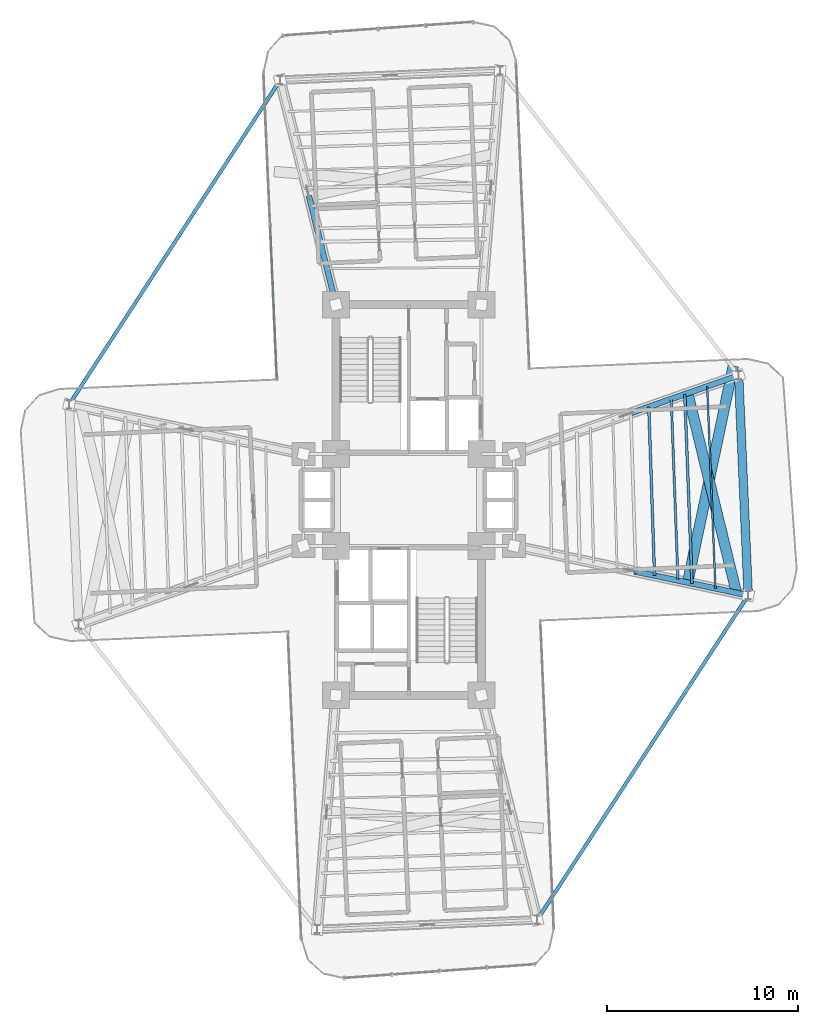
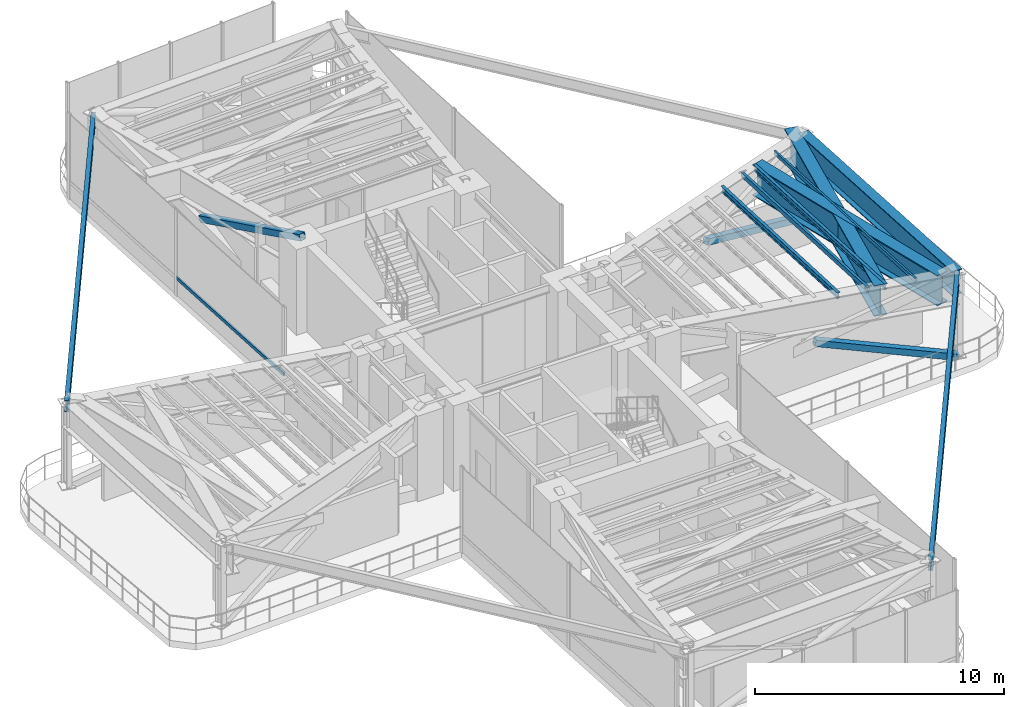
# One storey, part 8 of 18: 9 beams, 4 members, 1 element without a shape of its own.
"""IFC4 building model written with IfcOpenShell, lengths in metres."""

from ifc_helpers import new_model, si_unit, direction, frame, origin, origin_2d, place, context, subcontext, project, spatial, hollow_rectangle, i_section, extrude, source, transform, mapped, material, material_profile, profile_set, type_object, element, aggregate, save


model = new_model("IFC4")

# Units and contexts
model_context = context("Model", 3, precision=1e-05, world=origin(), true_north=direction((0.0, 1.0)))
body_context = subcontext(model_context, "Body", "Model", "MODEL_VIEW")
ifc_project = project(units=[si_unit("LENGTHUNIT", "METRE"), si_unit("AREAUNIT", "SQUARE_METRE"), si_unit("VOLUMEUNIT", "CUBIC_METRE"), si_unit("PLANEANGLEUNIT", "RADIAN"), si_unit("MASSUNIT", "GRAM", prefix="KILO")], contexts=[model_context])

# Site, building, storey
site_placement = place(None, origin())
site = spatial("IfcSite", under=ifc_project, at=site_placement, CompositionType="ELEMENT")
building_placement = place(site_placement, origin())
building = spatial("IfcBuilding", under=site, at=building_placement, Name="Sahyath Konkavel Grand Hotel", CompositionType="ELEMENT")
storey_placement = place(building_placement, frame((0.0, 0.0, 138.25)))
storey = spatial("IfcBuildingStorey", under=building, at=storey_placement, Name="L38", CompositionType="ELEMENT", Elevation=138.25)

# Beams
ifc_material_1 = material(Name="Steel E350", Category="steel")
ifc_material_profile_1 = material_profile(ifc_material_1, i_section(OverallWidth=0.139892578125, OverallDepth=0.27490234375, WebThickness=0.00634765625, FlangeThickness=0.0087890625, FilletRadius=0.012939453125, at=origin_2d()), Name="ISLB 275")
ifc_profile_set_1 = profile_set([ifc_material_profile_1], Name="Steel E350")
beam_type_1 = type_object("IfcBeamType", Name="BM-ISLB275", PredefinedType="BEAM", material=ifc_profile_set_1)
shared_shape_1 = source(origin(), body_context, "Body", "SweptSolid", [
    extrude(i_section(OverallWidth=0.139892578125, OverallDepth=0.27490234375, WebThickness=0.00634765625, FlangeThickness=0.0087890625, FilletRadius=0.012939453125, at=origin_2d()), origin(), (0.0, 0.0, 1.0), 9.89111328125),
])
beam_1_placement = place(storey_placement, frame((14.798095703125, -4.36181640625, 4.04248046875), z_axis=(-0.03855445741, 0.999256500511, 0.0), x_axis=(-0.999256500511, -0.03855445741, 0.0)))
element("IfcBeam", 1, at=beam_1_placement, inside=storey, type_object=beam_type_1, Name="L38 Secondary Floor Beam E-3", PredefinedType="BEAM", context=body_context, shape_type="MappedRepresentation", body=[
    mapped(shared_shape_1, transform((0.0, 0.0, 0.0), scale=1.0)),
])
ifc_material_2 = material(Name="Steel E450", Category="steel")
ifc_material_profile_2 = material_profile(ifc_material_2, i_section(OverallWidth=0.550048828125, OverallDepth=1.5, WebThickness=0.028076171875, FlangeThickness=0.050048828125, at=origin_2d()), Name="BPG 1500x550")
ifc_profile_set_2 = profile_set([ifc_material_profile_2], Name="Steel E450")
beam_type_2 = type_object("IfcBeamType", Name="BM-BPG1500", PredefinedType="BEAM", material=ifc_profile_set_2)
shared_shape_2 = source(origin(), body_context, "Body", "SweptSolid", [
    extrude(i_section(OverallWidth=0.550048828125, OverallDepth=1.5, WebThickness=0.028076171875, FlangeThickness=0.050048828125, at=origin_2d()), origin(), (0.0, 0.0, 1.0), 10.736083984375),
])
beam_2_placement = place(storey_placement, frame((17.12255859375, -4.85205078125, 3.429931640625), z_axis=(-0.23722419988, 0.971454928955, 0.0), x_axis=(-0.971454928955, -0.23722419988, 0.0)))
element("IfcBeam", 2, at=beam_2_placement, inside=storey, type_object=beam_type_2, Name="L38 Setback Cross Transfer Girder E-1", PredefinedType="BEAM", context=body_context, shape_type="MappedRepresentation", body=[
    mapped(shared_shape_2, transform((0.0, 0.0, 0.0), scale=1.0)),
])
shared_shape_3 = source(origin(), body_context, "Body", "SweptSolid", [
    extrude(i_section(OverallWidth=0.550048828125, OverallDepth=1.5, WebThickness=0.028076171875, FlangeThickness=0.050048828125, at=origin_2d()), origin(), (0.0, 0.0, 1.0), 11.566162109375),
])
beam_3_placement = place(storey_placement, frame((14.56640625, -4.312744140625, 3.429931640625), z_axis=(0.206435980401, 0.978460109558, 0.0), x_axis=(-0.978460109558, 0.206435980401, 0.0)))
element("IfcBeam", 3, at=beam_3_placement, inside=storey, type_object=beam_type_2, Name="L38 Setback Cross Transfer Girder E-2", PredefinedType="BEAM", context=body_context, shape_type="MappedRepresentation", body=[
    mapped(shared_shape_3, transform((0.0, 0.0, 0.0), scale=1.0)),
])
ifc_material_profile_3 = material_profile(ifc_material_2, i_section(OverallWidth=0.449951171875, OverallDepth=1.199951171875, WebThickness=0.02197265625, FlangeThickness=0.0400390625, at=origin_2d()), Name="BPG 1200x450")
ifc_profile_set_3 = profile_set([ifc_material_profile_3], Name="Steel E450")
beam_type_3 = type_object("IfcBeamType", Name="BM-BPG1200", PredefinedType="BEAM", material=ifc_profile_set_3)
shared_shape_4 = source(origin(), body_context, "Body", "SweptSolid", [
    extrude(i_section(OverallWidth=0.449951171875, OverallDepth=1.199951171875, WebThickness=0.02197265625, FlangeThickness=0.0400390625, at=origin_2d()), origin(), (0.0, 0.0, 1.0), 11.5),
])
beam_4_placement = place(storey_placement, frame((17.734130859375, -4.981201171875, 3.580078125), z_axis=(-0.043627008892, 0.99904788879, 0.0), x_axis=(-0.99904788879, -0.043627008892, 0.0)))
element("IfcBeam", 4, at=beam_4_placement, inside=storey, type_object=beam_type_3, Name="L38 Wing Tip Edge Beam E", PredefinedType="BEAM", context=body_context, shape_type="MappedRepresentation", body=[
    mapped(shared_shape_4, transform((0.0, 0.0, 0.0), scale=1.0)),
])
ifc_material_profile_4 = material_profile(ifc_material_1, i_section(OverallWidth=0.18994140625, OverallDepth=0.550048828125, WebThickness=0.01123046875, FlangeThickness=0.019287109375, FilletRadius=0.01806640625, at=origin_2d()), Name="ISMB 550")
ifc_profile_set_4 = profile_set([ifc_material_profile_4], Name="Steel E350")
beam_type_4 = type_object("IfcBeamType", Name="BM-ISMB550", PredefinedType="BEAM", material=ifc_profile_set_4)
shared_shape_5 = source(origin(), body_context, "Body", "SweptSolid", [
    extrude(i_section(OverallWidth=0.18994140625, OverallDepth=0.550048828125, WebThickness=0.01123046875, FlangeThickness=0.019287109375, FilletRadius=0.01806640625, at=origin_2d()), origin(), (0.0, 0.0, 1.0), 20.21533203125),
])
for number, where, z_axis, x_axis, name in (
    (5, (-6.712890625, 21.927978515625, 3.905029296875), (-0.545191244931, -0.838311700056, 0.0), (0.838311700056, -0.545191244931, 0.0), "L38 Re-Entrant Tie Beam NW"),
    (6, (17.734130859375, -4.981201171875, 3.905029296875), (-0.545191244931, -0.838311700056, 0.0), (0.838311700056, -0.545191244931, 0.0), "L38 Re-Entrant Tie Beam SE"),
):
    element("IfcBeam", number, at=place(storey_placement, frame(where, z_axis=z_axis, x_axis=x_axis)), inside=storey, type_object=beam_type_4, Name=name, PredefinedType="BEAM", context=body_context, shape_type="MappedRepresentation", body=[
        mapped(shared_shape_5, transform((0.0, 0.0, 0.0), scale=1.0)),
    ])

# Members
ifc_material_profile_5 = material_profile(ifc_material_2, hollow_rectangle(XDim=0.300048828125, YDim=0.300048828125, WallThickness=0.01611328125, at=origin_2d()), Name="SHS 300x300x16")
ifc_profile_set_5 = profile_set([ifc_material_profile_5], Name="Steel E450")
member_type_1 = type_object("IfcMemberType", Name="BR-SHS300", PredefinedType="BRACE", material=ifc_profile_set_5)
shared_shape_6 = source(origin(), body_context, "Body", "SweptSolid", [
    extrude(hollow_rectangle(XDim=0.300048828125, YDim=0.300048828125, WallThickness=0.01611328125, at=origin_2d()), origin(), (0.0, 0.0, 1.0), 6.3486328125),
])
member_1_placement = place(storey_placement, frame((17.734130859375, -4.981201171875, 0.010009765625), z_axis=(-0.928425197012, 0.195891063811, 0.31567917998), x_axis=(-0.206447556496, -0.978457667156, 0.0)))
element("IfcMember", 7, at=member_1_placement, inside=storey, type_object=member_type_1, Name="L38 Core Outrigger Truss EA Split Lower Diagonal 2A", PredefinedType="BRACE", context=body_context, shape_type="MappedRepresentation", body=[
    mapped(shared_shape_6, transform((0.0, 0.0, 0.0), scale=1.0)),
])
shared_shape_7 = source(origin(), body_context, "Body", "SweptSolid", [
    extrude(hollow_rectangle(XDim=0.300048828125, YDim=0.300048828125, WallThickness=0.01611328125, at=origin_2d()), origin(), (0.0, 0.0, 1.0), 6.314208984375),
])
member_2_placement = place(storey_placement, frame((17.232421875, 6.5078125, 0.010009765625), z_axis=(-0.895036347172, -0.313347786309, 0.317369031345), x_axis=(0.330430336429, -0.943830383473, 0.0)))
element("IfcMember", 8, at=member_2_placement, inside=storey, type_object=member_type_1, Name="L38 Core Outrigger Truss EB Split Lower Diagonal 2A", PredefinedType="BRACE", context=body_context, shape_type="MappedRepresentation", body=[
    mapped(shared_shape_7, transform((0.0, 0.0, 0.0), scale=1.0)),
])
shared_shape_8 = source(origin(), body_context, "Body", "SweptSolid", [
    extrude(hollow_rectangle(XDim=0.300048828125, YDim=0.300048828125, WallThickness=0.01611328125, at=origin_2d()), origin(), (0.0, 0.0, 1.0), 6.150146484375),
])
member_3_placement = place(storey_placement, frame((-5.20166015625, 15.84375, 2.168212890625), z_axis=(0.22790030905, -0.917674872723, 0.325475463142), x_axis=(0.970519169134, 0.241023945581, 0.0)))
element("IfcMember", 9, at=member_3_placement, inside=storey, type_object=member_type_1, Name="L38 Core Outrigger Truss NB Split Upper Diagonal 2B", PredefinedType="BRACE", context=body_context, shape_type="MappedRepresentation", body=[
    mapped(shared_shape_8, transform((0.0, 0.0, 0.0), scale=1.0)),
])

# Beams
shared_shape_9 = source(origin(), body_context, "Body", "SweptSolid", [
    extrude(i_section(OverallWidth=0.139892578125, OverallDepth=0.27490234375, WebThickness=0.00634765625, FlangeThickness=0.0087890625, FilletRadius=0.012939453125, at=origin_2d()), origin(), (0.0, 0.0, 1.0), 8.818603515625),
])
beam_5_placement = place(storey_placement, frame((12.840576171875, -3.94873046875, 4.04248046875), z_axis=(-0.034135219852, 0.999417223569, 0.0), x_axis=(-0.999417223569, -0.034135219852, 0.0)))
element("IfcBeam", 10, at=beam_5_placement, inside=storey, type_object=beam_type_1, Name="L38 Composite Deck Sub-Beam E-4", PredefinedType="BEAM", context=body_context, shape_type="MappedRepresentation", body=[
    mapped(shared_shape_9, transform((0.0, 0.0, 0.0), scale=1.0)),
])
ifc_material_profile_6 = material_profile(ifc_material_1, hollow_rectangle(XDim=0.1201171875, YDim=0.219970703125, WallThickness=0.010009765625, at=origin_2d()), Name="RHS 220x120x10")
ifc_profile_set_6 = profile_set([ifc_material_profile_6], Name="Steel E350")
beam_type_5 = type_object("IfcBeamType", Name="BM-RHS220", PredefinedType="BEAM", material=ifc_profile_set_6)
shared_shape_10 = source(origin(), body_context, "Body", "SweptSolid", [
    extrude(hollow_rectangle(XDim=0.1201171875, YDim=0.219970703125, WallThickness=0.010009765625, at=origin_2d()), origin(), (0.0, 0.0, 1.0), 9.48876953125),
])
beam_6_placement = place(storey_placement, frame((14.06396484375, -4.206787109375, 4.070068359375), z_axis=(-0.03699928911, 0.99931529189, 0.0), x_axis=(-0.99931529189, -0.03699928911, 0.0)))
element("IfcBeam", 11, at=beam_6_placement, inside=storey, type_object=beam_type_5, Name="L38 Composite Deck Sub-Beam E-5", PredefinedType="BEAM", context=body_context, shape_type="MappedRepresentation", body=[
    mapped(shared_shape_10, transform((0.0, 0.0, 0.0), scale=1.0)),
])
ifc_material_profile_7 = material_profile(ifc_material_1, hollow_rectangle(XDim=0.090087890625, YDim=0.179931640625, WallThickness=0.008056640625, at=origin_2d()), Name="RHS 180x90x8")
ifc_profile_set_7 = profile_set([ifc_material_profile_7], Name="Steel E350")
beam_type_6 = type_object("IfcBeamType", Name="BM-RHS180", PredefinedType="BEAM", material=ifc_profile_set_7)
shared_shape_11 = source(origin(), body_context, "Body", "SweptSolid", [
    extrude(hollow_rectangle(XDim=0.090087890625, YDim=0.179931640625, WallThickness=0.008056640625, at=origin_2d()), origin(), (0.0, 0.0, 1.0), 10.5615234375),
])
beam_7_placement = place(storey_placement, frame((16.021484375, -4.619873046875, 4.090087890625), z_axis=(-0.040869027801, 0.999164512263, 0.0), x_axis=(-0.999164512263, -0.040869027801, 0.0)))
element("IfcBeam", 12, at=beam_7_placement, inside=storey, type_object=beam_type_6, Name="L38 Composite Deck Sub-Beam E-6", PredefinedType="BEAM", context=body_context, shape_type="MappedRepresentation", body=[
    mapped(shared_shape_11, transform((0.0, 0.0, 0.0), scale=1.0)),
])

# Curtain wall, member
ifc_material_3 = material(Name="Anodised Bronze Aluminium & Low-E Glazing", Category="aluminium")
curtain_wall_type = type_object("IfcCurtainWallType", Name="CW-SKYLOBBY", PredefinedType="NOTDEFINED", material=ifc_material_3)
curtain_wall_placement = place(storey_placement, origin())
curtain_wall = element("IfcCurtainWall", 13, at=curtain_wall_placement, inside=storey, type_object=curtain_wall_type, Name="L38 Unitised Curtain Wall RF15", PredefinedType="NOTDEFINED")
ifc_material_4 = material(Name="Anodised Bronze Aluminium", Category="aluminium")
ifc_material_profile_8 = material_profile(ifc_material_4, hollow_rectangle(XDim=0.080078125, YDim=0.159912109375, WallThickness=0.006103515625, at=origin_2d()), Name="RHS 160x80x6")
ifc_profile_set_8 = profile_set([ifc_material_profile_8], Name="Anodised Bronze Aluminium")
member_type_2 = type_object("IfcMemberType", Name="CW-TRN-160", PredefinedType="USERDEFINED", material=ifc_profile_set_8)
shared_shape_12 = source(origin(), body_context, "Body", "SweptSolid", [
    extrude(hollow_rectangle(XDim=0.080078125, YDim=0.159912109375, WallThickness=0.006103515625, at=origin_2d()), origin(), (0.0, 0.0, 1.0), 8.010009765625),
])
member_4_placement = place(storey_placement, frame((-7.232666015625, 14.34814453125, 0.85009765625), z_axis=(0.043615785896, -0.999048378819, 0.0), x_axis=(0.999048378819, 0.043615785896, 0.0)))
member_4 = element("IfcMember", 14, at=member_4_placement, type_object=member_type_2, Name="L38 Curtain Wall Transom RF15-1-spandrel", ObjectType="TRANSOM", PredefinedType="USERDEFINED", context=body_context, shape_type="MappedRepresentation", body=[
    mapped(shared_shape_12, transform((0.0, 0.0, 0.0), scale=1.0)),
])
aggregate(curtain_wall, [member_4])

save(model, "model.ifc")
